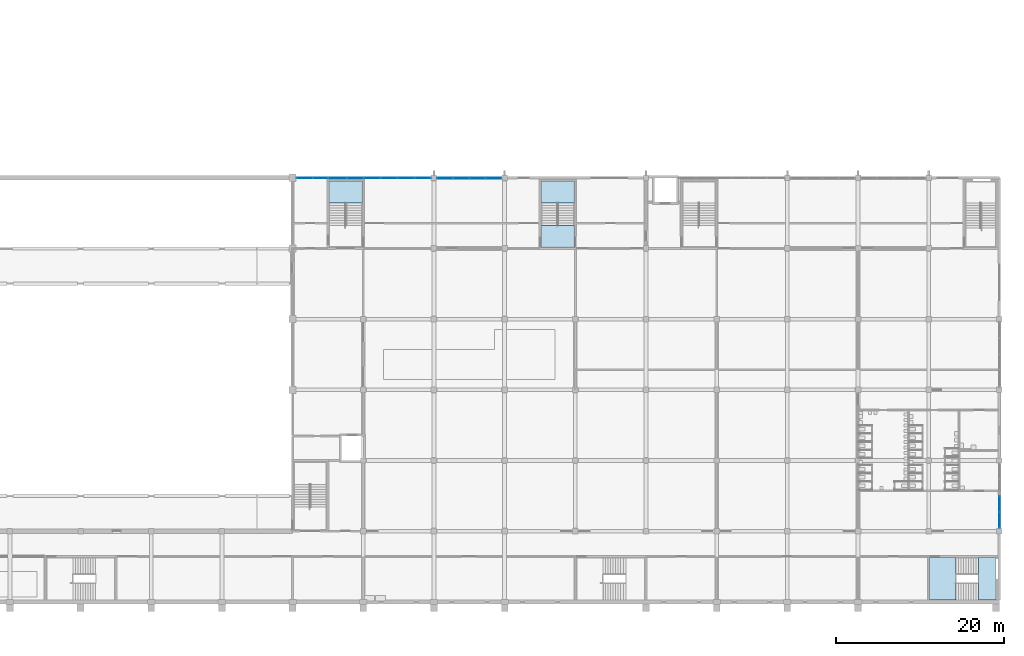
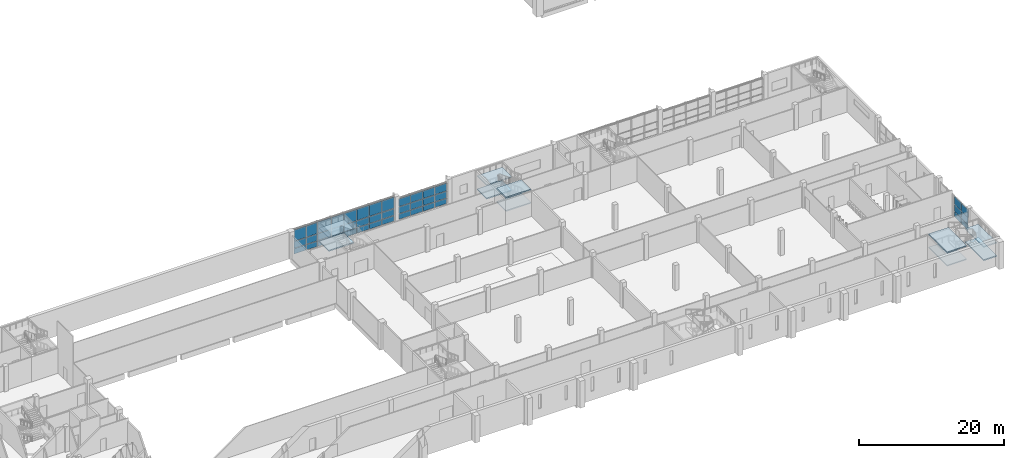
# One storey, part 17 of 64: 42 plates, 10 slabs, 6 elements without a shape of their own.
"""IFC4 building model written with IfcOpenShell, lengths in metres."""

import ifcopenshell
import ifcopenshell.guid

model = None  # the IFC model being written
_history = None  # IfcOwnerHistory: only IFC2X3 demands one
_inside = {}  # id of a spatial element -> (the spatial element, [elements in it])
_under = {}  # id of a project, library or spatial element -> (it, [spatial elements below it])
_declared = {}  # id of a project -> (the project, [libraries it declares])
_typed = {}  # id of a type object -> (the type object, [elements of that type])
_made_of = {}  # id of a material, layer set ... -> (it, [elements and type objects made of it])


def new_model(schema):
    """Start an empty IFC model of exactly this schema.

    Asked for "IFC4X3", IfcOpenShell would pick the latest addendum, in which some entities
    have other attributes; the version numbers below select the first issue.
    IFC2X3 requires an IfcOwnerHistory on every rooted entity: one is made here for all.
    """
    global model, _history
    if schema == "IFC4X3":
        model = ifcopenshell.file(schema_version=(4, 3, 0, 0))
    else:
        model = ifcopenshell.file(schema=schema)
    _inside.clear()
    _under.clear()
    _declared.clear()
    _typed.clear()
    _made_of.clear()
    _history = None
    if model.schema == "IFC2X3":
        org = make("IfcOrganization", Name="unknown")
        user = make(
            "IfcPersonAndOrganization",
            ThePerson=make("IfcPerson", FamilyName="unknown"),
            TheOrganization=org,
        )
        app = make(
            "IfcApplication",
            ApplicationDeveloper=org,
            Version="unknown",
            ApplicationFullName="unknown",
            ApplicationIdentifier="unknown",
        )
        _history = make(
            "IfcOwnerHistory",
            OwningUser=user,
            OwningApplication=app,
            ChangeAction="ADDED",
            CreationDate=0,
        )
    return model


def make(cls, **values):
    """One entity of the class cls with the attributes given. An attribute that is None is left unset."""
    return model.create_entity(
        cls, **{name: value for name, value in values.items() if value is not None}
    )


def rooted(cls, **values):
    """An entity with a GlobalId (a new one), such as an element, a storey or a relation."""
    return make(cls, GlobalId=ifcopenshell.guid.new(), OwnerHistory=_history, **values)


def si_unit(unit_type, name, prefix=None):
    """IfcSIUnit, for example si_unit("LENGTHUNIT", "METRE", prefix="MILLI")."""
    return make("IfcSIUnit", UnitType=unit_type, Prefix=prefix, Name=name)


def assignment(units):
    """IfcUnitAssignment: the units of a project."""
    return None if units is None else make("IfcUnitAssignment", Units=units)


def point(xyz):
    """IfcCartesianPoint."""
    return None if xyz is None else make("IfcCartesianPoint", Coordinates=xyz)


def direction(xyz):
    """IfcDirection."""
    return None if xyz is None else make("IfcDirection", DirectionRatios=xyz)


def frame(location, z_axis=None, x_axis=None):
    """IfcAxis2Placement3D, a coordinate frame: its origin and axes. An axis left out is left unset."""
    return make(
        "IfcAxis2Placement3D",
        Location=point(location),
        Axis=direction(z_axis),
        RefDirection=direction(x_axis),
    )


def frame_2d(location, x_axis=None):
    """IfcAxis2Placement2D, a coordinate frame in the plane: its origin and x axis."""
    return make(
        "IfcAxis2Placement2D", Location=point(location), RefDirection=direction(x_axis)
    )


def origin():
    """The frame at (0, 0, 0) with its axes left unset."""
    return frame((0.0, 0.0, 0.0))


def origin_2d():
    """The frame at (0, 0) in the plane with its x axis left unset."""
    return frame_2d((0.0, 0.0))


def place(relative_to, where):
    """IfcLocalPlacement: puts the frame where relative to a parent placement (None: the world)."""
    return make(
        "IfcLocalPlacement", PlacementRelTo=relative_to, RelativePlacement=where
    )


def context(
    kind, dimensions, precision=None, world=None, true_north=None, identifier=None
):
    """IfcGeometricRepresentationContext, for example the 3D "Model" context."""
    return make(
        "IfcGeometricRepresentationContext",
        ContextIdentifier=identifier,
        ContextType=kind,
        CoordinateSpaceDimension=dimensions,
        Precision=precision,
        WorldCoordinateSystem=world,
        TrueNorth=true_north,
    )


def subcontext(parent, identifier, kind, view, scale=None):
    """IfcGeometricRepresentationSubContext, for example "Body" below "Model"."""
    return make(
        "IfcGeometricRepresentationSubContext",
        ContextIdentifier=identifier,
        ContextType=kind,
        ParentContext=parent,
        TargetScale=scale,
        TargetView=view,
    )


def project(units=None, contexts=None):
    """IfcProject with its units and contexts."""
    return rooted(
        "IfcProject",
        Name="project",
        RepresentationContexts=contexts,
        UnitsInContext=assignment(units),
    )


def spatial(cls, under=None, at=None, **own):
    """A site, building, storey or space (cls), placed at a placement, below another one or the project."""
    s = rooted(cls, ObjectPlacement=at, **own)
    if under is not None:
        _under.setdefault(under.id(), (under, []))[1].append(s)
    return s


def polyline(points):
    """IfcPolyline through the points."""
    return make("IfcPolyline", Points=[point(p) for p in points])


def profile(cls, at=None, kind="AREA", **sizes):
    """A parametric profile (cls). Its sizes go by their IFC names, for example OverallWidth=200.0."""
    return make(cls, ProfileType=kind, Position=at, **sizes)


def rectangle(**sizes):
    """IfcRectangleProfileDef."""
    return profile("IfcRectangleProfileDef", **sizes)


def outline(outer, holes=None, kind="AREA"):
    """IfcArbitraryClosedProfileDef: a profile drawn as a closed curve; with holes, ...WithVoids."""
    if holes is None:
        return make("IfcArbitraryClosedProfileDef", ProfileType=kind, OuterCurve=outer)
    return make(
        "IfcArbitraryProfileDefWithVoids",
        ProfileType=kind,
        OuterCurve=outer,
        InnerCurves=holes,
    )


def extrude(swept, where, along, depth):
    """IfcExtrudedAreaSolid: the profile swept, set in the frame where, extruded along a direction by depth."""
    return make(
        "IfcExtrudedAreaSolid",
        SweptArea=swept,
        Position=where,
        ExtrudedDirection=direction(along),
        Depth=depth,
    )


def shape(context_of_items, identifier, shape_type, items):
    """IfcShapeRepresentation: the items that make up one representation, for example the "Body"."""
    return make(
        "IfcShapeRepresentation",
        ContextOfItems=context_of_items,
        RepresentationIdentifier=identifier,
        RepresentationType=shape_type,
        Items=items,
    )


def material(Name=None, Category=None):
    """IfcMaterial."""
    return make("IfcMaterial", Name=Name, Category=Category)


def layer(
    of_material, thickness, ventilated=None, Name=None, Category=None, Priority=None
):
    """IfcMaterialLayer: one layer of a wall or slab, of a material (None: an air gap)."""
    return make(
        "IfcMaterialLayer",
        Material=of_material,
        LayerThickness=thickness,
        IsVentilated=ventilated,
        Name=Name,
        Category=Category,
        Priority=Priority,
    )


def layer_set(layers, Name=None):
    """IfcMaterialLayerSet."""
    return make("IfcMaterialLayerSet", MaterialLayers=layers, LayerSetName=Name)


def made_of(thing, what):
    """Note that an element or type object is made of a material, layer set ...; save() writes the relation."""
    if what is not None:
        _made_of.setdefault(what.id(), (what, []))[1].append(thing)
    return thing


def type_object(cls, material=None, **own):
    """A type object (cls), such as IfcWallType, which elements share."""
    return made_of(rooted(cls, **own), material)


def element(
    cls,
    number,
    at=None,
    inside=None,
    cuts=None,
    type_object=None,
    material=None,
    context=None,
    identifier="Body",
    shape_type=None,
    held_by="IfcProductDefinitionShape",
    body=None,
    shapes=None,
    **own,
):
    """One element of the class cls, such as IfcWall. Its Tag is "e" and its number.

    at: its placement. inside: the storey or other place that contains it. cuts: it is an
    opening in that element (IfcRelVoidsElement). A single representation is given by context,
    identifier, shape_type and body (its items); several are given by shapes. held_by: the class
    of the entity that holds the representations. save() writes the other relations.
    """
    e = rooted(cls, Tag="e%d" % number, ObjectPlacement=at, **own)
    if body is not None:
        shapes = [shape(context, identifier, shape_type, body)]
    if shapes is not None:
        e.Representation = make(held_by, Representations=shapes)
    if inside is not None:
        _inside.setdefault(inside.id(), (inside, []))[1].append(e)
    if cuts is not None:
        rooted(
            "IfcRelVoidsElement", RelatingBuildingElement=cuts, RelatedOpeningElement=e
        )
    if type_object is not None:
        _typed.setdefault(type_object.id(), (type_object, []))[1].append(e)
    return made_of(e, material)


def aggregate(whole, parts):
    """IfcRelAggregates: a whole, such as a stair, and the parts it consists of."""
    return rooted("IfcRelAggregates", RelatingObject=whole, RelatedObjects=parts)


def save(model, path):
    """Write the relations noted so far, then the file.

    IfcRelAggregates (storeys below a building ...), IfcRelContainedInSpatialStructure (elements
    in a storey), IfcRelDefinesByType, IfcRelAssociatesMaterial and IfcRelDeclares: one each for
    every whole, place, type object, material and project.
    """
    for whole, parts in _under.values():
        aggregate(whole, parts)
    for where, things in _inside.values():
        rooted(
            "IfcRelContainedInSpatialStructure",
            RelatedElements=things,
            RelatingStructure=where,
        )
    for kind, things in _typed.values():
        rooted("IfcRelDefinesByType", RelatedObjects=things, RelatingType=kind)
    for what, things in _made_of.values():
        rooted("IfcRelAssociatesMaterial", RelatedObjects=things, RelatingMaterial=what)
    for by, libraries in _declared.values():
        rooted("IfcRelDeclares", RelatingContext=by, RelatedDefinitions=libraries)
    model.write(path)


model = new_model("IFC4")

# Units and contexts
model_context = context("Model", 3, precision=1e-05, world=origin(), true_north=direction((0.0, 1.0)))
body_context = subcontext(model_context, "Body", "Model", "MODEL_VIEW")
ifc_project = project(units=[si_unit("LENGTHUNIT", "METRE"), si_unit("AREAUNIT", "SQUARE_METRE"), si_unit("VOLUMEUNIT", "CUBIC_METRE"), si_unit("PLANEANGLEUNIT", "RADIAN"), si_unit("MASSUNIT", "GRAM", prefix="KILO")], contexts=[model_context])

# Site, building, storey
site_placement = place(None, origin())
site = spatial("IfcSite", under=ifc_project, at=site_placement, CompositionType="ELEMENT")
building_placement = place(site_placement, origin())
building = spatial("IfcBuilding", under=site, at=building_placement, Name="Rulbaag Community and Learning Centre", CompositionType="ELEMENT")
storey_placement = place(building_placement, frame((0.0, 0.0, 5.39990234375)))
storey = spatial("IfcBuildingStorey", under=building, at=storey_placement, Name="L01", CompositionType="ELEMENT", Elevation=5.39990234375)

# Curtain wall, plates
ifc_material_1 = material(Name="Aluminium", Category="aluminium")
ifc_layer_1 = layer(ifc_material_1, 0.14990234375)
ifc_layer_set_1 = layer_set([ifc_layer_1], Name="CW-L")
curtain_wall_type = type_object("IfcCurtainWallType", Name="CW-L", PredefinedType="USERDEFINED", material=ifc_layer_set_1)
curtain_wall_1_placement = place(storey_placement, origin())
curtain_wall_1 = element("IfcCurtainWall", 1, at=curtain_wall_1_placement, inside=storey, type_object=curtain_wall_type, Name="GL-L01-03", ObjectType="STICK CURTAIN WALL", PredefinedType="USERDEFINED")
ifc_layer_2 = layer(ifc_material_1, 0.050048828125)
ifc_layer_set_2 = layer_set([ifc_layer_2], Name="CW-L-SPN")
plate_type_1 = type_object("IfcPlateType", Name="CW-L-SPN", PredefinedType="CURTAIN_PANEL", material=ifc_layer_set_2)
plate_1_placement = place(storey_placement, frame((85.4443359375, 50.39990234375, 0.06494140625), z_axis=(0.0, 0.0, 1.0), x_axis=(1.0, 0.0, 0.0)))
plate_1 = element("IfcPlate", 2, at=plate_1_placement, type_object=plate_type_1, Name="GL spandrel panel", PredefinedType="CURTAIN_PANEL", context=body_context, shape_type="SweptSolid", body=[
    extrude(rectangle(XDim=1.90869140625, YDim=0.050048828125, at=origin_2d()), origin(), (0.0, 0.0, 1.0), 0.902587890625),
])
plate_2_placement = place(storey_placement, frame((85.4443359375, 50.39990234375, 2.232421875), z_axis=(0.0, 0.0, 1.0), x_axis=(1.0, 0.0, 0.0)))
plate_2 = element("IfcPlate", 3, at=plate_2_placement, type_object=plate_type_1, Name="GL spandrel panel", PredefinedType="CURTAIN_PANEL", context=body_context, shape_type="SweptSolid", body=[
    extrude(rectangle(XDim=1.90869140625, YDim=0.050048828125, at=origin_2d()), origin(), (0.0, 0.0, 1.0), 1.902587890625),
])
plate_3_placement = place(storey_placement, frame((87.315673828125, 50.39990234375, 0.06494140625), z_axis=(0.0, 0.0, 1.0), x_axis=(1.0, 0.0, 0.0)))
plate_3 = element("IfcPlate", 4, at=plate_3_placement, type_object=plate_type_1, Name="GL spandrel panel", PredefinedType="CURTAIN_PANEL", context=body_context, shape_type="SweptSolid", body=[
    extrude(rectangle(XDim=1.703857421875, YDim=0.050048828125, at=origin_2d()), origin(), (0.0, 0.0, 1.0), 0.902587890625),
])
plate_4_placement = place(storey_placement, frame((87.315673828125, 50.39990234375, 2.232421875), z_axis=(0.0, 0.0, 1.0), x_axis=(1.0, 0.0, 0.0)))
plate_4 = element("IfcPlate", 5, at=plate_4_placement, type_object=plate_type_1, Name="GL spandrel panel", PredefinedType="CURTAIN_PANEL", context=body_context, shape_type="SweptSolid", body=[
    extrude(rectangle(XDim=1.703857421875, YDim=0.050048828125, at=origin_2d()), origin(), (0.0, 0.0, 1.0), 1.902587890625),
])
plate_5_placement = place(storey_placement, frame((89.32177734375, 50.39990234375, 0.06494140625), z_axis=(0.0, 0.0, 1.0), x_axis=(1.0, 0.0, 0.0)))
plate_5 = element("IfcPlate", 6, at=plate_5_placement, type_object=plate_type_1, Name="GL spandrel panel", PredefinedType="CURTAIN_PANEL", context=body_context, shape_type="SweptSolid", body=[
    extrude(rectangle(XDim=2.1787109375, YDim=0.050048828125, at=origin_2d()), origin(), (0.0, 0.0, 1.0), 0.902587890625),
])
plate_6_placement = place(storey_placement, frame((89.32177734375, 50.39990234375, 2.232421875), z_axis=(0.0, 0.0, 1.0), x_axis=(1.0, 0.0, 0.0)))
plate_6 = element("IfcPlate", 7, at=plate_6_placement, type_object=plate_type_1, Name="GL spandrel panel", PredefinedType="CURTAIN_PANEL", context=body_context, shape_type="SweptSolid", body=[
    extrude(rectangle(XDim=2.1787109375, YDim=0.050048828125, at=origin_2d()), origin(), (0.0, 0.0, 1.0), 1.902587890625),
])
plate_7_placement = place(storey_placement, frame((91.421875, 50.39990234375, 0.06494140625), z_axis=(0.0, 0.0, 1.0), x_axis=(1.0, 0.0, 0.0)))
plate_7 = element("IfcPlate", 8, at=plate_7_placement, type_object=plate_type_1, Name="GL spandrel panel", PredefinedType="CURTAIN_PANEL", context=body_context, shape_type="SweptSolid", body=[
    extrude(rectangle(XDim=1.891357421875, YDim=0.050048828125, at=origin_2d()), origin(), (0.0, 0.0, 1.0), 0.902587890625),
])
plate_8_placement = place(storey_placement, frame((91.421875, 50.39990234375, 2.232421875), z_axis=(0.0, 0.0, 1.0), x_axis=(1.0, 0.0, 0.0)))
plate_8 = element("IfcPlate", 9, at=plate_8_placement, type_object=plate_type_1, Name="GL spandrel panel", PredefinedType="CURTAIN_PANEL", context=body_context, shape_type="SweptSolid", body=[
    extrude(rectangle(XDim=1.891357421875, YDim=0.050048828125, at=origin_2d()), origin(), (0.0, 0.0, 1.0), 1.902587890625),
])
plate_9_placement = place(storey_placement, frame((93.42822265625, 50.39990234375, 0.06494140625), z_axis=(0.0, 0.0, 1.0), x_axis=(1.0, 0.0, 0.0)))
plate_9 = element("IfcPlate", 10, at=plate_9_placement, type_object=plate_type_1, Name="GL spandrel panel", PredefinedType="CURTAIN_PANEL", context=body_context, shape_type="SweptSolid", body=[
    extrude(rectangle(XDim=1.9912109375, YDim=0.050048828125, at=origin_2d()), origin(), (0.0, 0.0, 1.0), 0.902587890625),
])
plate_10_placement = place(storey_placement, frame((93.42822265625, 50.39990234375, 2.232421875), z_axis=(0.0, 0.0, 1.0), x_axis=(1.0, 0.0, 0.0)))
plate_10 = element("IfcPlate", 11, at=plate_10_placement, type_object=plate_type_1, Name="GL spandrel panel", PredefinedType="CURTAIN_PANEL", context=body_context, shape_type="SweptSolid", body=[
    extrude(rectangle(XDim=1.9912109375, YDim=0.050048828125, at=origin_2d()), origin(), (0.0, 0.0, 1.0), 1.902587890625),
])
plate_11_placement = place(storey_placement, frame((95.45947265625, 50.39990234375, 0.06494140625), z_axis=(0.0, 0.0, 1.0), x_axis=(1.0, 0.0, 0.0)))
plate_11 = element("IfcPlate", 12, at=plate_11_placement, type_object=plate_type_1, Name="GL spandrel panel", PredefinedType="CURTAIN_PANEL", context=body_context, shape_type="SweptSolid", body=[
    extrude(rectangle(XDim=1.941162109375, YDim=0.050048828125, at=origin_2d()), origin(), (0.0, 0.0, 1.0), 0.902587890625),
])
plate_12_placement = place(storey_placement, frame((95.45947265625, 50.39990234375, 2.232421875), z_axis=(0.0, 0.0, 1.0), x_axis=(1.0, 0.0, 0.0)))
plate_12 = element("IfcPlate", 13, at=plate_12_placement, type_object=plate_type_1, Name="GL spandrel panel", PredefinedType="CURTAIN_PANEL", context=body_context, shape_type="SweptSolid", body=[
    extrude(rectangle(XDim=1.941162109375, YDim=0.050048828125, at=origin_2d()), origin(), (0.0, 0.0, 1.0), 1.902587890625),
])
plate_13_placement = place(storey_placement, frame((97.465576171875, 50.39990234375, 0.06494140625), z_axis=(0.0, 0.0, 1.0), x_axis=(1.0, 0.0, 0.0)))
plate_13 = element("IfcPlate", 14, at=plate_13_placement, type_object=plate_type_1, Name="GL spandrel panel", PredefinedType="CURTAIN_PANEL", context=body_context, shape_type="SweptSolid", body=[
    extrude(rectangle(XDim=1.941162109375, YDim=0.050048828125, at=origin_2d()), origin(), (0.0, 0.0, 1.0), 0.902587890625),
])
plate_14_placement = place(storey_placement, frame((97.465576171875, 50.39990234375, 2.232421875), z_axis=(0.0, 0.0, 1.0), x_axis=(1.0, 0.0, 0.0)))
plate_14 = element("IfcPlate", 15, at=plate_14_placement, type_object=plate_type_1, Name="GL spandrel panel", PredefinedType="CURTAIN_PANEL", context=body_context, shape_type="SweptSolid", body=[
    extrude(rectangle(XDim=1.941162109375, YDim=0.050048828125, at=origin_2d()), origin(), (0.0, 0.0, 1.0), 1.902587890625),
])
plate_15_placement = place(storey_placement, frame((99.45556640625, 50.39990234375, 0.06494140625), z_axis=(0.0, 0.0, 1.0), x_axis=(1.0, 0.0, 0.0)))
plate_15 = element("IfcPlate", 16, at=plate_15_placement, type_object=plate_type_1, Name="GL spandrel panel", PredefinedType="CURTAIN_PANEL", context=body_context, shape_type="SweptSolid", body=[
    extrude(rectangle(XDim=1.90869140625, YDim=0.050048828125, at=origin_2d()), origin(), (0.0, 0.0, 1.0), 0.902587890625),
])
plate_16_placement = place(storey_placement, frame((99.45556640625, 50.39990234375, 2.232421875), z_axis=(0.0, 0.0, 1.0), x_axis=(1.0, 0.0, 0.0)))
plate_16 = element("IfcPlate", 17, at=plate_16_placement, type_object=plate_type_1, Name="GL spandrel panel", PredefinedType="CURTAIN_PANEL", context=body_context, shape_type="SweptSolid", body=[
    extrude(rectangle(XDim=1.90869140625, YDim=0.050048828125, at=origin_2d()), origin(), (0.0, 0.0, 1.0), 1.902587890625),
])

curtain_wall_2_placement = place(storey_placement, origin())
curtain_wall_2 = element("IfcCurtainWall", 18, at=curtain_wall_2_placement, inside=storey, type_object=curtain_wall_type, Name="GL-L01-04", ObjectType="STICK CURTAIN WALL", PredefinedType="USERDEFINED")
plate_17_placement = place(storey_placement, frame((102.110107421875, 50.39990234375, 0.06494140625), z_axis=(0.0, 0.0, 1.0), x_axis=(1.0, 0.0, 0.0)))
plate_17 = element("IfcPlate", 19, at=plate_17_placement, type_object=plate_type_1, Name="GL spandrel panel", PredefinedType="CURTAIN_PANEL", context=body_context, shape_type="SweptSolid", body=[
    extrude(rectangle(XDim=1.840087890625, YDim=0.050048828125, at=origin_2d()), origin(), (0.0, 0.0, 1.0), 0.902587890625),
])
plate_18_placement = place(storey_placement, frame((102.110107421875, 50.39990234375, 2.232421875), z_axis=(0.0, 0.0, 1.0), x_axis=(1.0, 0.0, 0.0)))
plate_18 = element("IfcPlate", 20, at=plate_18_placement, type_object=plate_type_1, Name="GL spandrel panel", PredefinedType="CURTAIN_PANEL", context=body_context, shape_type="SweptSolid", body=[
    extrude(rectangle(XDim=1.840087890625, YDim=0.050048828125, at=origin_2d()), origin(), (0.0, 0.0, 1.0), 1.302490234375),
])
plate_19_placement = place(storey_placement, frame((104.03125, 50.39990234375, 0.06494140625), z_axis=(0.0, 0.0, 1.0), x_axis=(1.0, 0.0, 0.0)))
plate_19 = element("IfcPlate", 21, at=plate_19_placement, type_object=plate_type_1, Name="GL spandrel panel", PredefinedType="CURTAIN_PANEL", context=body_context, shape_type="SweptSolid", body=[
    extrude(rectangle(XDim=1.87255859375, YDim=0.050048828125, at=origin_2d()), origin(), (0.0, 0.0, 1.0), 0.902587890625),
])
plate_20_placement = place(storey_placement, frame((104.03125, 50.39990234375, 2.232421875), z_axis=(0.0, 0.0, 1.0), x_axis=(1.0, 0.0, 0.0)))
plate_20 = element("IfcPlate", 22, at=plate_20_placement, type_object=plate_type_1, Name="GL spandrel panel", PredefinedType="CURTAIN_PANEL", context=body_context, shape_type="SweptSolid", body=[
    extrude(rectangle(XDim=1.87255859375, YDim=0.050048828125, at=origin_2d()), origin(), (0.0, 0.0, 1.0), 1.302490234375),
])
plate_21_placement = place(storey_placement, frame((105.96875, 50.39990234375, 0.06494140625), z_axis=(0.0, 0.0, 1.0), x_axis=(1.0, 0.0, 0.0)))
plate_21 = element("IfcPlate", 23, at=plate_21_placement, type_object=plate_type_1, Name="GL spandrel panel", PredefinedType="CURTAIN_PANEL", context=body_context, shape_type="SweptSolid", body=[
    extrude(rectangle(XDim=1.87255859375, YDim=0.050048828125, at=origin_2d()), origin(), (0.0, 0.0, 1.0), 0.902587890625),
])
plate_22_placement = place(storey_placement, frame((105.96875, 50.39990234375, 2.232421875), z_axis=(0.0, 0.0, 1.0), x_axis=(1.0, 0.0, 0.0)))
plate_22 = element("IfcPlate", 24, at=plate_22_placement, type_object=plate_type_1, Name="GL spandrel panel", PredefinedType="CURTAIN_PANEL", context=body_context, shape_type="SweptSolid", body=[
    extrude(rectangle(XDim=1.87255859375, YDim=0.050048828125, at=origin_2d()), origin(), (0.0, 0.0, 1.0), 1.302490234375),
])
plate_23_placement = place(storey_placement, frame((107.889892578125, 50.39990234375, 0.06494140625), z_axis=(0.0, 0.0, 1.0), x_axis=(1.0, 0.0, 0.0)))
plate_23 = element("IfcPlate", 25, at=plate_23_placement, type_object=plate_type_1, Name="GL spandrel panel", PredefinedType="CURTAIN_PANEL", context=body_context, shape_type="SweptSolid", body=[
    extrude(rectangle(XDim=1.840087890625, YDim=0.050048828125, at=origin_2d()), origin(), (0.0, 0.0, 1.0), 0.902587890625),
])
plate_24_placement = place(storey_placement, frame((107.889892578125, 50.39990234375, 2.232421875), z_axis=(0.0, 0.0, 1.0), x_axis=(1.0, 0.0, 0.0)))
plate_24 = element("IfcPlate", 26, at=plate_24_placement, type_object=plate_type_1, Name="GL spandrel panel", PredefinedType="CURTAIN_PANEL", context=body_context, shape_type="SweptSolid", body=[
    extrude(rectangle(XDim=1.840087890625, YDim=0.050048828125, at=origin_2d()), origin(), (0.0, 0.0, 1.0), 1.302490234375),
])

curtain_wall_3_placement = place(storey_placement, origin())
curtain_wall_3 = element("IfcCurtainWall", 27, at=curtain_wall_3_placement, inside=storey, type_object=curtain_wall_type, Name="GL-L01-08", ObjectType="STICK CURTAIN WALL", PredefinedType="USERDEFINED")
plate_25_placement = place(storey_placement, frame((168.0, 9.7099609375, 0.06494140625), z_axis=(0.0, 0.0, 1.0), x_axis=(0.0, 1.0, 0.0)))
plate_25 = element("IfcPlate", 28, at=plate_25_placement, type_object=plate_type_1, Name="GL spandrel panel", PredefinedType="CURTAIN_PANEL", context=body_context, shape_type="SweptSolid", body=[
    extrude(rectangle(XDim=1.840087890625, YDim=0.050048828125, at=origin_2d()), origin(), (0.0, 0.0, 1.0), 0.902587890625),
])
plate_26_placement = place(storey_placement, frame((168.0, 9.7099609375, 2.232421875), z_axis=(0.0, 0.0, 1.0), x_axis=(0.0, 1.0, 0.0)))
plate_26 = element("IfcPlate", 29, at=plate_26_placement, type_object=plate_type_1, Name="GL spandrel panel", PredefinedType="CURTAIN_PANEL", context=body_context, shape_type="SweptSolid", body=[
    extrude(rectangle(XDim=1.840087890625, YDim=0.050048828125, at=origin_2d()), origin(), (0.0, 0.0, 1.0), 1.302490234375),
])
plate_27_placement = place(storey_placement, frame((168.0, 11.63134765625, 0.06494140625), z_axis=(0.0, 0.0, 1.0), x_axis=(0.0, 1.0, 0.0)))
plate_27 = element("IfcPlate", 30, at=plate_27_placement, type_object=plate_type_1, Name="GL spandrel panel", PredefinedType="CURTAIN_PANEL", context=body_context, shape_type="SweptSolid", body=[
    extrude(rectangle(XDim=1.87255859375, YDim=0.050048828125, at=origin_2d()), origin(), (0.0, 0.0, 1.0), 0.902587890625),
])
plate_28_placement = place(storey_placement, frame((168.0, 11.63134765625, 2.232421875), z_axis=(0.0, 0.0, 1.0), x_axis=(0.0, 1.0, 0.0)))
plate_28 = element("IfcPlate", 31, at=plate_28_placement, type_object=plate_type_1, Name="GL spandrel panel", PredefinedType="CURTAIN_PANEL", context=body_context, shape_type="SweptSolid", body=[
    extrude(rectangle(XDim=1.87255859375, YDim=0.050048828125, at=origin_2d()), origin(), (0.0, 0.0, 1.0), 1.302490234375),
])

# Plate
ifc_material_2 = material(Name="Glass", Category="glass")
ifc_layer_3 = layer(ifc_material_2, 0.031982421875)
ifc_layer_set_3 = layer_set([ifc_layer_3], Name="CW-L-VIS")
plate_type_2 = type_object("IfcPlateType", Name="CW-L-VIS", PredefinedType="CURTAIN_PANEL", material=ifc_layer_set_3)
plate_29_placement = place(storey_placement, frame((85.4443359375, 50.39990234375, 1.03271484375), z_axis=(0.0, 0.0, 1.0), x_axis=(1.0, 0.0, 0.0)))
plate_29 = element("IfcPlate", 32, at=plate_29_placement, type_object=plate_type_2, Name="GL vision panel", PredefinedType="CURTAIN_PANEL", context=body_context, shape_type="SweptSolid", body=[
    extrude(rectangle(XDim=1.90869140625, YDim=0.031982421875, at=origin_2d()), origin(), (0.0, 0.0, 1.0), 1.135009765625),
])

plate_30_placement = place(storey_placement, frame((87.315673828125, 50.39990234375, 1.03271484375), z_axis=(0.0, 0.0, 1.0), x_axis=(1.0, 0.0, 0.0)))
plate_30 = element("IfcPlate", 33, at=plate_30_placement, type_object=plate_type_2, Name="GL vision panel", PredefinedType="CURTAIN_PANEL", context=body_context, shape_type="SweptSolid", body=[
    extrude(rectangle(XDim=1.703857421875, YDim=0.031982421875, at=origin_2d()), origin(), (0.0, 0.0, 1.0), 1.135009765625),
])

plate_31_placement = place(storey_placement, frame((89.32177734375, 50.39990234375, 1.03271484375), z_axis=(0.0, 0.0, 1.0), x_axis=(1.0, 0.0, 0.0)))
plate_31 = element("IfcPlate", 34, at=plate_31_placement, type_object=plate_type_2, Name="GL vision panel", PredefinedType="CURTAIN_PANEL", context=body_context, shape_type="SweptSolid", body=[
    extrude(rectangle(XDim=2.1787109375, YDim=0.031982421875, at=origin_2d()), origin(), (0.0, 0.0, 1.0), 1.135009765625),
])

plate_32_placement = place(storey_placement, frame((91.421875, 50.39990234375, 1.03271484375), z_axis=(0.0, 0.0, 1.0), x_axis=(1.0, 0.0, 0.0)))
plate_32 = element("IfcPlate", 35, at=plate_32_placement, type_object=plate_type_2, Name="GL vision panel", PredefinedType="CURTAIN_PANEL", context=body_context, shape_type="SweptSolid", body=[
    extrude(rectangle(XDim=1.891357421875, YDim=0.031982421875, at=origin_2d()), origin(), (0.0, 0.0, 1.0), 1.135009765625),
])

plate_33_placement = place(storey_placement, frame((93.42822265625, 50.39990234375, 1.03271484375), z_axis=(0.0, 0.0, 1.0), x_axis=(1.0, 0.0, 0.0)))
plate_33 = element("IfcPlate", 36, at=plate_33_placement, type_object=plate_type_2, Name="GL vision panel", PredefinedType="CURTAIN_PANEL", context=body_context, shape_type="SweptSolid", body=[
    extrude(rectangle(XDim=1.9912109375, YDim=0.031982421875, at=origin_2d()), origin(), (0.0, 0.0, 1.0), 1.135009765625),
])

plate_34_placement = place(storey_placement, frame((95.45947265625, 50.39990234375, 1.03271484375), z_axis=(0.0, 0.0, 1.0), x_axis=(1.0, 0.0, 0.0)))
plate_34 = element("IfcPlate", 37, at=plate_34_placement, type_object=plate_type_2, Name="GL vision panel", PredefinedType="CURTAIN_PANEL", context=body_context, shape_type="SweptSolid", body=[
    extrude(rectangle(XDim=1.941162109375, YDim=0.031982421875, at=origin_2d()), origin(), (0.0, 0.0, 1.0), 1.135009765625),
])

plate_35_placement = place(storey_placement, frame((97.465576171875, 50.39990234375, 1.03271484375), z_axis=(0.0, 0.0, 1.0), x_axis=(1.0, 0.0, 0.0)))
plate_35 = element("IfcPlate", 38, at=plate_35_placement, type_object=plate_type_2, Name="GL vision panel", PredefinedType="CURTAIN_PANEL", context=body_context, shape_type="SweptSolid", body=[
    extrude(rectangle(XDim=1.941162109375, YDim=0.031982421875, at=origin_2d()), origin(), (0.0, 0.0, 1.0), 1.135009765625),
])

plate_36_placement = place(storey_placement, frame((99.45556640625, 50.39990234375, 1.03271484375), z_axis=(0.0, 0.0, 1.0), x_axis=(1.0, 0.0, 0.0)))
plate_36 = element("IfcPlate", 39, at=plate_36_placement, type_object=plate_type_2, Name="GL vision panel", PredefinedType="CURTAIN_PANEL", context=body_context, shape_type="SweptSolid", body=[
    extrude(rectangle(XDim=1.90869140625, YDim=0.031982421875, at=origin_2d()), origin(), (0.0, 0.0, 1.0), 1.135009765625),
])

aggregate(curtain_wall_1, [plate_1, plate_29, plate_2, plate_3, plate_30, plate_4, plate_5, plate_31, plate_6, plate_7, plate_32, plate_8, plate_9, plate_33, plate_10, plate_11, plate_34, plate_12, plate_13, plate_35, plate_14, plate_15, plate_36, plate_16])

plate_37_placement = place(storey_placement, frame((102.110107421875, 50.39990234375, 1.03271484375), z_axis=(0.0, 0.0, 1.0), x_axis=(1.0, 0.0, 0.0)))
plate_37 = element("IfcPlate", 40, at=plate_37_placement, type_object=plate_type_2, Name="GL vision panel", PredefinedType="CURTAIN_PANEL", context=body_context, shape_type="SweptSolid", body=[
    extrude(rectangle(XDim=1.840087890625, YDim=0.031982421875, at=origin_2d()), origin(), (0.0, 0.0, 1.0), 1.135009765625),
])

plate_38_placement = place(storey_placement, frame((104.03125, 50.39990234375, 1.03271484375), z_axis=(0.0, 0.0, 1.0), x_axis=(1.0, 0.0, 0.0)))
plate_38 = element("IfcPlate", 41, at=plate_38_placement, type_object=plate_type_2, Name="GL vision panel", PredefinedType="CURTAIN_PANEL", context=body_context, shape_type="SweptSolid", body=[
    extrude(rectangle(XDim=1.87255859375, YDim=0.031982421875, at=origin_2d()), origin(), (0.0, 0.0, 1.0), 1.135009765625),
])

plate_39_placement = place(storey_placement, frame((105.96875, 50.39990234375, 1.03271484375), z_axis=(0.0, 0.0, 1.0), x_axis=(1.0, 0.0, 0.0)))
plate_39 = element("IfcPlate", 42, at=plate_39_placement, type_object=plate_type_2, Name="GL vision panel", PredefinedType="CURTAIN_PANEL", context=body_context, shape_type="SweptSolid", body=[
    extrude(rectangle(XDim=1.87255859375, YDim=0.031982421875, at=origin_2d()), origin(), (0.0, 0.0, 1.0), 1.135009765625),
])

plate_40_placement = place(storey_placement, frame((107.889892578125, 50.39990234375, 1.03271484375), z_axis=(0.0, 0.0, 1.0), x_axis=(1.0, 0.0, 0.0)))
plate_40 = element("IfcPlate", 43, at=plate_40_placement, type_object=plate_type_2, Name="GL vision panel", PredefinedType="CURTAIN_PANEL", context=body_context, shape_type="SweptSolid", body=[
    extrude(rectangle(XDim=1.840087890625, YDim=0.031982421875, at=origin_2d()), origin(), (0.0, 0.0, 1.0), 1.135009765625),
])

aggregate(curtain_wall_2, [plate_17, plate_37, plate_18, plate_19, plate_38, plate_20, plate_21, plate_39, plate_22, plate_23, plate_40, plate_24])

plate_41_placement = place(storey_placement, frame((168.0, 9.7099609375, 1.03271484375), z_axis=(0.0, 0.0, 1.0), x_axis=(0.0, 1.0, 0.0)))
plate_41 = element("IfcPlate", 44, at=plate_41_placement, type_object=plate_type_2, Name="GL vision panel", PredefinedType="CURTAIN_PANEL", context=body_context, shape_type="SweptSolid", body=[
    extrude(rectangle(XDim=1.840087890625, YDim=0.031982421875, at=origin_2d()), origin(), (0.0, 0.0, 1.0), 1.135009765625),
])

plate_42_placement = place(storey_placement, frame((168.0, 11.63134765625, 1.03271484375), z_axis=(0.0, 0.0, 1.0), x_axis=(0.0, 1.0, 0.0)))
plate_42 = element("IfcPlate", 45, at=plate_42_placement, type_object=plate_type_2, Name="GL vision panel", PredefinedType="CURTAIN_PANEL", context=body_context, shape_type="SweptSolid", body=[
    extrude(rectangle(XDim=1.87255859375, YDim=0.031982421875, at=origin_2d()), origin(), (0.0, 0.0, 1.0), 1.135009765625),
])

aggregate(curtain_wall_3, [plate_25, plate_41, plate_26, plate_27, plate_42, plate_28])

# Stair, slabs
ifc_material_3 = material(Name="Concrete M40", Category="concrete")
stair_type_1 = type_object("IfcStairType", Name="ST-2000 STAIR 2000 WIDE", PredefinedType="HALF_TURN_STAIR", material=ifc_material_3)
stair_1_placement = place(storey_placement, origin())
stair_1 = element("IfcStair", 46, at=stair_1_placement, inside=storey, type_object=stair_type_1, Name="Stair ST-H6 L01", PredefinedType="HALF_TURN_STAIR")
ifc_layer_4 = layer(ifc_material_3, 0.179931640625)
ifc_layer_set_4 = layer_set([ifc_layer_4], Name="LN-180 LANDING 180 Concrete M40")
slab_type = type_object("IfcSlabType", Name="LN-180 LANDING 180 Concrete M40", PredefinedType="LANDING", material=ifc_layer_set_4)
slab_1_placement = place(storey_placement, frame((0.0, 0.0, 0.945068359375)))
slab_1 = element("IfcSlab", 47, at=slab_1_placement, type_object=slab_type, Name="ST-H6 landing 1", PredefinedType="LANDING", context=body_context, shape_type="SweptSolid", body=[
    extrude(outline(polyline([(88.300048828125, 47.41259765625), (88.300048828125, 50.02490234375), (92.300048828125, 50.02490234375), (92.300048828125, 47.41259765625), (88.300048828125, 47.41259765625)])), origin(), (0.0, 0.0, 1.0), 0.179931640625),
])
slab_2_placement = place(storey_placement, frame((0.0, 0.0, 3.195068359375)))
slab_2 = element("IfcSlab", 48, at=slab_2_placement, type_object=slab_type, Name="ST-H6 landing 3", PredefinedType="LANDING", context=body_context, shape_type="SweptSolid", body=[
    extrude(outline(polyline([(88.300048828125, 47.41259765625), (88.300048828125, 50.02490234375), (92.300048828125, 50.02490234375), (92.300048828125, 47.41259765625), (88.300048828125, 47.41259765625)])), origin(), (0.0, 0.0, 1.0), 0.179931640625),
])
aggregate(stair_1, [slab_1, slab_2])

stair_2_placement = place(storey_placement, origin())
stair_2 = element("IfcStair", 49, at=stair_2_placement, inside=storey, type_object=stair_type_1, Name="Stair ST-H7 L01", PredefinedType="HALF_TURN_STAIR")
slab_3_placement = place(storey_placement, frame((0.0, 0.0, 0.945068359375)))
slab_3 = element("IfcSlab", 50, at=slab_3_placement, type_object=slab_type, Name="ST-H7 landing 1", PredefinedType="LANDING", context=body_context, shape_type="SweptSolid", body=[
    extrude(outline(polyline([(113.5, 47.41259765625), (113.5, 50.02490234375), (117.5, 50.02490234375), (117.5, 47.41259765625), (113.5, 47.41259765625)])), origin(), (0.0, 0.0, 1.0), 0.179931640625),
])
slab_4_placement = place(storey_placement, frame((0.0, 0.0, 2.070068359375)))
slab_4 = element("IfcSlab", 51, at=slab_4_placement, type_object=slab_type, Name="ST-H7 landing 2", PredefinedType="LANDING", context=body_context, shape_type="SweptSolid", body=[
    extrude(outline(polyline([(113.5, 42.10009765625), (113.5, 44.71240234375), (117.5, 44.71240234375), (117.5, 42.10009765625), (113.5, 42.10009765625)])), origin(), (0.0, 0.0, 1.0), 0.179931640625),
])
slab_5_placement = place(storey_placement, frame((0.0, 0.0, 3.195068359375)))
slab_5 = element("IfcSlab", 52, at=slab_5_placement, type_object=slab_type, Name="ST-H7 landing 3", PredefinedType="LANDING", context=body_context, shape_type="SweptSolid", body=[
    extrude(outline(polyline([(113.5, 47.41259765625), (113.5, 50.02490234375), (117.5, 50.02490234375), (117.5, 47.41259765625), (113.5, 47.41259765625)])), origin(), (0.0, 0.0, 1.0), 0.179931640625),
])
slab_6_placement = place(storey_placement, frame((0.0, 0.0, 4.320068359375)))
slab_6 = element("IfcSlab", 53, at=slab_6_placement, type_object=slab_type, Name="ST-H7 landing 4", PredefinedType="LANDING", context=body_context, shape_type="SweptSolid", body=[
    extrude(outline(polyline([(113.5, 42.10009765625), (113.5, 44.71240234375), (117.5, 44.71240234375), (117.5, 42.10009765625), (113.5, 42.10009765625)])), origin(), (0.0, 0.0, 1.0), 0.179931640625),
])
aggregate(stair_2, [slab_3, slab_4, slab_5, slab_6])

stair_type_2 = type_object("IfcStairType", Name="ST-2100 STAIR 2100 WIDE", PredefinedType="HALF_TURN_STAIR", material=ifc_material_3)
stair_3_placement = place(storey_placement, origin())
stair_3 = element("IfcStair", 54, at=stair_3_placement, inside=storey, type_object=stair_type_2, Name="Stair ST-H10 L01", PredefinedType="HALF_TURN_STAIR")
slab_7_placement = place(storey_placement, frame((0.0, 0.0, 0.945068359375)))
slab_7 = element("IfcSlab", 55, at=slab_7_placement, type_object=slab_type, Name="ST-H10 landing 1", PredefinedType="LANDING", context=body_context, shape_type="SweptSolid", body=[
    extrude(outline(polyline([(165.52490234375, 0.22509765625), (167.625, 0.22509765625), (167.625, 5.300048828125), (165.52490234375, 5.300048828125), (165.52490234375, 0.22509765625)])), origin(), (0.0, 0.0, 1.0), 0.179931640625),
])
slab_8_placement = place(storey_placement, frame((0.0, 0.0, 2.070068359375)))
slab_8 = element("IfcSlab", 56, at=slab_8_placement, type_object=slab_type, Name="ST-H10 landing 2", PredefinedType="LANDING", context=body_context, shape_type="SweptSolid", body=[
    extrude(outline(polyline([(159.699951171875, 0.22509765625), (162.824951171875, 0.22509765625), (162.824951171875, 5.300048828125), (159.699951171875, 5.300048828125), (159.699951171875, 0.22509765625)])), origin(), (0.0, 0.0, 1.0), 0.179931640625),
])
slab_9_placement = place(storey_placement, frame((0.0, 0.0, 3.195068359375)))
slab_9 = element("IfcSlab", 57, at=slab_9_placement, type_object=slab_type, Name="ST-H10 landing 3", PredefinedType="LANDING", context=body_context, shape_type="SweptSolid", body=[
    extrude(outline(polyline([(165.52490234375, 0.22509765625), (167.625, 0.22509765625), (167.625, 5.300048828125), (165.52490234375, 5.300048828125), (165.52490234375, 0.22509765625)])), origin(), (0.0, 0.0, 1.0), 0.179931640625),
])
slab_10_placement = place(storey_placement, frame((0.0, 0.0, 4.320068359375)))
slab_10 = element("IfcSlab", 58, at=slab_10_placement, type_object=slab_type, Name="ST-H10 landing 4", PredefinedType="LANDING", context=body_context, shape_type="SweptSolid", body=[
    extrude(outline(polyline([(159.699951171875, 0.22509765625), (162.824951171875, 0.22509765625), (162.824951171875, 5.300048828125), (159.699951171875, 5.300048828125), (159.699951171875, 0.22509765625)])), origin(), (0.0, 0.0, 1.0), 0.179931640625),
])
aggregate(stair_3, [slab_7, slab_8, slab_9, slab_10])

save(model, "model.ifc")
